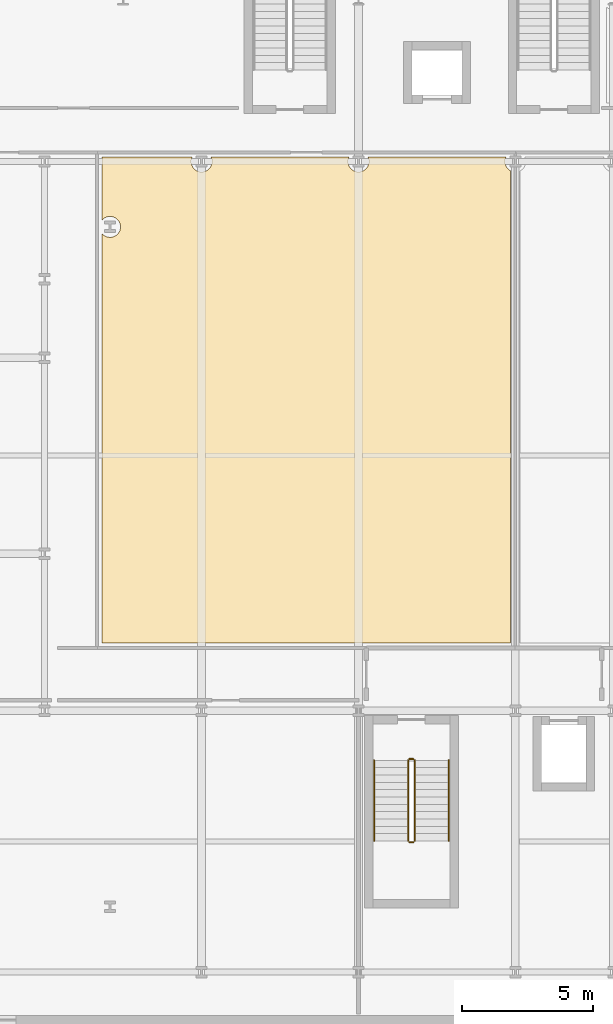
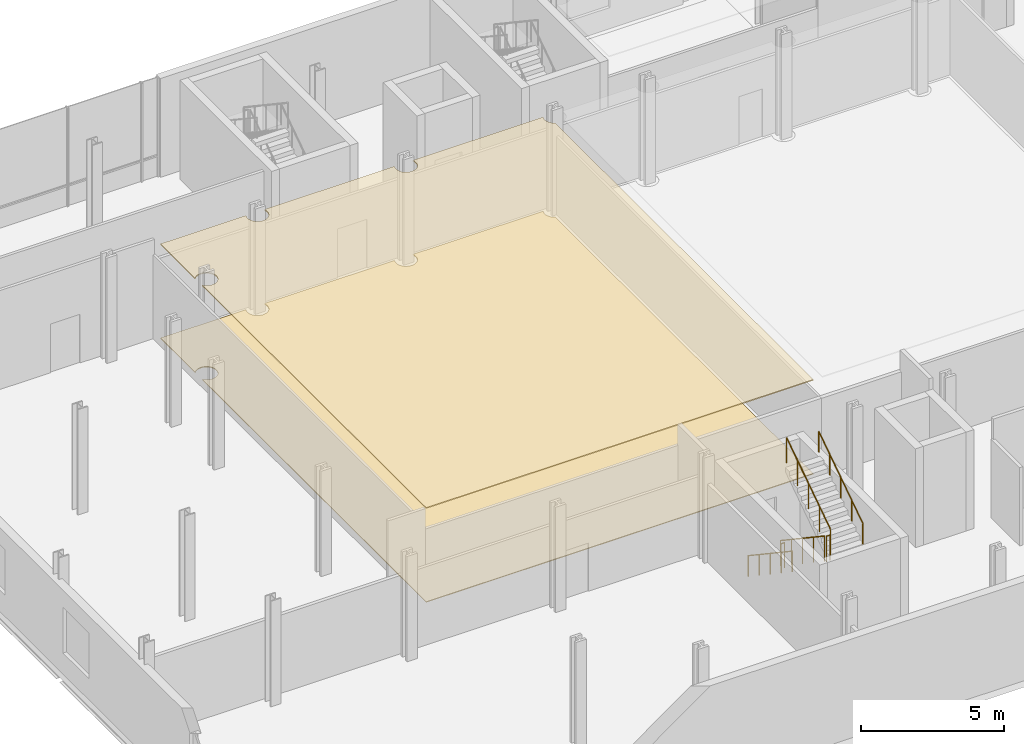
# One storey, part 21 of 25: 6 railings, 2 coverings.
"""IFC4 building model written with IfcOpenShell, lengths in metres."""

from ifc_helpers import new_model, si_unit, direction, frame, origin, origin_2d, place, context, subcontext, project, spatial, polyline, circle, outline, extrude, material, layer, layer_set, type_object, element, save


model = new_model("IFC4")

# Units and contexts
model_context = context("Model", 3, precision=1e-05, world=origin(), true_north=direction((0.0, 1.0)))
body_context = subcontext(model_context, "Body", "Model", "MODEL_VIEW")
ifc_project = project(units=[si_unit("LENGTHUNIT", "METRE"), si_unit("AREAUNIT", "SQUARE_METRE"), si_unit("VOLUMEUNIT", "CUBIC_METRE"), si_unit("PLANEANGLEUNIT", "RADIAN"), si_unit("MASSUNIT", "GRAM", prefix="KILO")], contexts=[model_context])

# Site, building, storey
site_placement = place(None, origin())
site = spatial("IfcSite", under=ifc_project, at=site_placement, CompositionType="ELEMENT")
building_placement = place(site_placement, origin())
building = spatial("IfcBuilding", under=site, at=building_placement, Name="Brevholm Reach", CompositionType="ELEMENT")
storey_placement = place(building_placement, frame((0.0, 0.0, 13.5)))
storey = spatial("IfcBuildingStorey", under=building, at=storey_placement, Name="L03", CompositionType="ELEMENT", Elevation=13.5)

# Coverings
ifc_material_1 = material(Name="Perforated Mineral-Fibre Class-A Acoustic Suspended Ceiling", Category="gypsum")
ifc_layer_1 = layer(ifc_material_1, 0.044921875)
ifc_layer_set_1 = layer_set([ifc_layer_1], Name="Perforated Mineral-Fibre Class-A Acoustic Suspended Ceiling")
covering_type_1 = type_object("IfcCoveringType", Name="COV-CLG-AC", PredefinedType="CEILING", material=ifc_layer_set_1)
covering_1_placement = place(storey_placement, frame((0.0, 0.0, 4.0048828125)))
element("IfcCovering", 1, at=covering_1_placement, inside=storey, type_object=covering_type_1, Name="L03 Suspended Ceiling L03-36", PredefinedType="CEILING", context=body_context, shape_type="SweptSolid", body=[
    extrude(outline(polyline([(17.820068359375, 12.583984375), (2.18408203125, 12.583984375), (2.18408203125, 28.25537109375), (2.19091796875, 28.24609375), (2.21728515625, 28.21728515625), (2.24609375, 28.19091796875), (2.27783203125, 28.16748046875), (2.311279296875, 28.147216796875), (2.346923828125, 28.13037109375), (2.3837890625, 28.1171875), (2.422119140625, 28.107666015625), (2.460693359375, 28.101806640625), (2.5, 28.10009765625), (2.539306640625, 28.101806640625), (2.577880859375, 28.107666015625), (2.6162109375, 28.1171875), (2.653076171875, 28.13037109375), (2.688720703125, 28.147216796875), (2.72216796875, 28.16748046875), (2.75390625, 28.19091796875), (2.78271484375, 28.21728515625), (2.80908203125, 28.24609375), (2.83251953125, 28.27783203125), (2.852783203125, 28.311279296875), (2.86962890625, 28.346923828125), (2.8828125, 28.3837890625), (2.892333984375, 28.422119140625), (2.898193359375, 28.460693359375), (2.89990234375, 28.5), (2.898193359375, 28.539306640625), (2.892333984375, 28.577880859375), (2.8828125, 28.6162109375), (2.86962890625, 28.653076171875), (2.852783203125, 28.688720703125), (2.83251953125, 28.72216796875), (2.80908203125, 28.75390625), (2.78271484375, 28.78271484375), (2.75390625, 28.80908203125), (2.72216796875, 28.83251953125), (2.688720703125, 28.852783203125), (2.653076171875, 28.86962890625), (2.6162109375, 28.8828125), (2.577880859375, 28.892333984375), (2.539306640625, 28.898193359375), (2.5, 28.89990234375), (2.460693359375, 28.898193359375), (2.422119140625, 28.892333984375), (2.3837890625, 28.8828125), (2.346923828125, 28.86962890625), (2.311279296875, 28.852783203125), (2.27783203125, 28.83251953125), (2.24609375, 28.80908203125), (2.21728515625, 28.78271484375), (2.19091796875, 28.75390625), (2.18408203125, 28.74462890625), (2.18408203125, 31.166015625), (5.63671875, 31.166015625), (5.63037109375, 31.153076171875), (5.6171875, 31.1162109375), (5.607666015625, 31.077880859375), (5.601806640625, 31.039306640625), (5.60009765625, 31.0), (5.601806640625, 30.960693359375), (5.607666015625, 30.922119140625), (5.6171875, 30.8837890625), (5.63037109375, 30.846923828125), (5.647216796875, 30.811279296875), (5.66748046875, 30.77783203125), (5.69091796875, 30.74609375), (5.71728515625, 30.71728515625), (5.74609375, 30.69091796875), (5.77783203125, 30.66748046875), (5.811279296875, 30.647216796875), (5.846923828125, 30.63037109375), (5.8837890625, 30.6171875), (5.922119140625, 30.607666015625), (5.960693359375, 30.601806640625), (6.0, 30.60009765625), (6.039306640625, 30.601806640625), (6.077880859375, 30.607666015625), (6.1162109375, 30.6171875), (6.153076171875, 30.63037109375), (6.188720703125, 30.647216796875), (6.22216796875, 30.66748046875), (6.25390625, 30.69091796875), (6.28271484375, 30.71728515625), (6.30908203125, 30.74609375), (6.33251953125, 30.77783203125), (6.352783203125, 30.811279296875), (6.36962890625, 30.846923828125), (6.3828125, 30.8837890625), (6.392333984375, 30.922119140625), (6.398193359375, 30.960693359375), (6.39990234375, 31.0), (6.398193359375, 31.039306640625), (6.392333984375, 31.077880859375), (6.3828125, 31.1162109375), (6.36962890625, 31.153076171875), (6.36328125, 31.166015625), (11.63671875, 31.166015625), (11.63037109375, 31.153076171875), (11.6171875, 31.1162109375), (11.607666015625, 31.077880859375), (11.601806640625, 31.039306640625), (11.60009765625, 31.0), (11.601806640625, 30.960693359375), (11.607666015625, 30.922119140625), (11.6171875, 30.8837890625), (11.63037109375, 30.846923828125), (11.647216796875, 30.811279296875), (11.66748046875, 30.77783203125), (11.69091796875, 30.74609375), (11.71728515625, 30.71728515625), (11.74609375, 30.69091796875), (11.77783203125, 30.66748046875), (11.811279296875, 30.647216796875), (11.846923828125, 30.63037109375), (11.8837890625, 30.6171875), (11.922119140625, 30.607666015625), (11.960693359375, 30.601806640625), (12.0, 30.60009765625), (12.039306640625, 30.601806640625), (12.077880859375, 30.607666015625), (12.1162109375, 30.6171875), (12.153076171875, 30.63037109375), (12.188720703125, 30.647216796875), (12.22216796875, 30.66748046875), (12.25390625, 30.69091796875), (12.28271484375, 30.71728515625), (12.30908203125, 30.74609375), (12.33251953125, 30.77783203125), (12.352783203125, 30.811279296875), (12.36962890625, 30.846923828125), (12.3828125, 30.8837890625), (12.392333984375, 30.922119140625), (12.398193359375, 30.960693359375), (12.39990234375, 31.0), (12.398193359375, 31.039306640625), (12.392333984375, 31.077880859375), (12.3828125, 31.1162109375), (12.36962890625, 31.153076171875), (12.36328125, 31.166015625), (17.63671875, 31.166015625), (17.63037109375, 31.153076171875), (17.6171875, 31.1162109375), (17.607666015625, 31.077880859375), (17.601806640625, 31.039306640625), (17.60009765625, 31.0), (17.601806640625, 30.960693359375), (17.607666015625, 30.922119140625), (17.6171875, 30.8837890625), (17.63037109375, 30.846923828125), (17.647216796875, 30.811279296875), (17.66748046875, 30.77783203125), (17.69091796875, 30.74609375), (17.71728515625, 30.71728515625), (17.74609375, 30.69091796875), (17.77783203125, 30.66748046875), (17.811279296875, 30.647216796875), (17.820068359375, 30.643310546875), (17.820068359375, 12.583984375)])), origin(), (0.0, 0.0, 1.0), 0.045166015625),
])
ifc_material_2 = material(Name="Honed Portland-Aggregate Resin Terrazzo Flooring", Category="concrete")
ifc_layer_2 = layer(ifc_material_2, 0.031982421875)
ifc_layer_set_2 = layer_set([ifc_layer_2], Name="Honed Portland-Aggregate Resin Terrazzo Flooring")
covering_type_2 = type_object("IfcCoveringType", Name="COV-FLR-TRZ", PredefinedType="FLOORING", material=ifc_layer_set_2)
covering_2_placement = place(storey_placement, origin())
element("IfcCovering", 2, at=covering_2_placement, inside=storey, type_object=covering_type_2, Name="L03 Floor Finish L03-36", PredefinedType="FLOORING", context=body_context, shape_type="SweptSolid", body=[
    extrude(outline(polyline([(17.820068359375, 12.583984375), (2.18408203125, 12.583984375), (2.18408203125, 28.25537109375), (2.19091796875, 28.24609375), (2.21728515625, 28.21728515625), (2.24609375, 28.19091796875), (2.27783203125, 28.16748046875), (2.311279296875, 28.147216796875), (2.346923828125, 28.13037109375), (2.3837890625, 28.1171875), (2.422119140625, 28.107666015625), (2.460693359375, 28.101806640625), (2.5, 28.10009765625), (2.539306640625, 28.101806640625), (2.577880859375, 28.107666015625), (2.6162109375, 28.1171875), (2.653076171875, 28.13037109375), (2.688720703125, 28.147216796875), (2.72216796875, 28.16748046875), (2.75390625, 28.19091796875), (2.78271484375, 28.21728515625), (2.80908203125, 28.24609375), (2.83251953125, 28.27783203125), (2.852783203125, 28.311279296875), (2.86962890625, 28.346923828125), (2.8828125, 28.3837890625), (2.892333984375, 28.422119140625), (2.898193359375, 28.460693359375), (2.89990234375, 28.5), (2.898193359375, 28.539306640625), (2.892333984375, 28.577880859375), (2.8828125, 28.6162109375), (2.86962890625, 28.653076171875), (2.852783203125, 28.688720703125), (2.83251953125, 28.72216796875), (2.80908203125, 28.75390625), (2.78271484375, 28.78271484375), (2.75390625, 28.80908203125), (2.72216796875, 28.83251953125), (2.688720703125, 28.852783203125), (2.653076171875, 28.86962890625), (2.6162109375, 28.8828125), (2.577880859375, 28.892333984375), (2.539306640625, 28.898193359375), (2.5, 28.89990234375), (2.460693359375, 28.898193359375), (2.422119140625, 28.892333984375), (2.3837890625, 28.8828125), (2.346923828125, 28.86962890625), (2.311279296875, 28.852783203125), (2.27783203125, 28.83251953125), (2.24609375, 28.80908203125), (2.21728515625, 28.78271484375), (2.19091796875, 28.75390625), (2.18408203125, 28.74462890625), (2.18408203125, 31.166015625), (5.63671875, 31.166015625), (5.63037109375, 31.153076171875), (5.6171875, 31.1162109375), (5.607666015625, 31.077880859375), (5.601806640625, 31.039306640625), (5.60009765625, 31.0), (5.601806640625, 30.960693359375), (5.607666015625, 30.922119140625), (5.6171875, 30.8837890625), (5.63037109375, 30.846923828125), (5.647216796875, 30.811279296875), (5.66748046875, 30.77783203125), (5.69091796875, 30.74609375), (5.71728515625, 30.71728515625), (5.74609375, 30.69091796875), (5.77783203125, 30.66748046875), (5.811279296875, 30.647216796875), (5.846923828125, 30.63037109375), (5.8837890625, 30.6171875), (5.922119140625, 30.607666015625), (5.960693359375, 30.601806640625), (6.0, 30.60009765625), (6.039306640625, 30.601806640625), (6.077880859375, 30.607666015625), (6.1162109375, 30.6171875), (6.153076171875, 30.63037109375), (6.188720703125, 30.647216796875), (6.22216796875, 30.66748046875), (6.25390625, 30.69091796875), (6.28271484375, 30.71728515625), (6.30908203125, 30.74609375), (6.33251953125, 30.77783203125), (6.352783203125, 30.811279296875), (6.36962890625, 30.846923828125), (6.3828125, 30.8837890625), (6.392333984375, 30.922119140625), (6.398193359375, 30.960693359375), (6.39990234375, 31.0), (6.398193359375, 31.039306640625), (6.392333984375, 31.077880859375), (6.3828125, 31.1162109375), (6.36962890625, 31.153076171875), (6.36328125, 31.166015625), (11.63671875, 31.166015625), (11.63037109375, 31.153076171875), (11.6171875, 31.1162109375), (11.607666015625, 31.077880859375), (11.601806640625, 31.039306640625), (11.60009765625, 31.0), (11.601806640625, 30.960693359375), (11.607666015625, 30.922119140625), (11.6171875, 30.8837890625), (11.63037109375, 30.846923828125), (11.647216796875, 30.811279296875), (11.66748046875, 30.77783203125), (11.69091796875, 30.74609375), (11.71728515625, 30.71728515625), (11.74609375, 30.69091796875), (11.77783203125, 30.66748046875), (11.811279296875, 30.647216796875), (11.846923828125, 30.63037109375), (11.8837890625, 30.6171875), (11.922119140625, 30.607666015625), (11.960693359375, 30.601806640625), (12.0, 30.60009765625), (12.039306640625, 30.601806640625), (12.077880859375, 30.607666015625), (12.1162109375, 30.6171875), (12.153076171875, 30.63037109375), (12.188720703125, 30.647216796875), (12.22216796875, 30.66748046875), (12.25390625, 30.69091796875), (12.28271484375, 30.71728515625), (12.30908203125, 30.74609375), (12.33251953125, 30.77783203125), (12.352783203125, 30.811279296875), (12.36962890625, 30.846923828125), (12.3828125, 30.8837890625), (12.392333984375, 30.922119140625), (12.398193359375, 30.960693359375), (12.39990234375, 31.0), (12.398193359375, 31.039306640625), (12.392333984375, 31.077880859375), (12.3828125, 31.1162109375), (12.36962890625, 31.153076171875), (12.36328125, 31.166015625), (17.63671875, 31.166015625), (17.63037109375, 31.153076171875), (17.6171875, 31.1162109375), (17.607666015625, 31.077880859375), (17.601806640625, 31.039306640625), (17.60009765625, 31.0), (17.601806640625, 30.960693359375), (17.607666015625, 30.922119140625), (17.6171875, 30.8837890625), (17.63037109375, 30.846923828125), (17.647216796875, 30.811279296875), (17.66748046875, 30.77783203125), (17.69091796875, 30.74609375), (17.71728515625, 30.71728515625), (17.74609375, 30.69091796875), (17.77783203125, 30.66748046875), (17.811279296875, 30.647216796875), (17.820068359375, 30.643310546875), (17.820068359375, 12.583984375)])), origin(), (0.0, 0.0, 1.0), 0.031982421875),
])

# Railings
ifc_material_3 = material(Name="Brushed Stainless Steel EN 1.4401 Continuous Handrail", Category="steel")
railing_type_1 = type_object("IfcRailingType", Name="RAL-HND-950", PredefinedType="HANDRAIL", material=ifc_material_3)
railing_1_placement = place(storey_placement, frame((12.60009765625, 8.10009765625, 0.1875)))
element("IfcRailing", 3, at=railing_1_placement, inside=storey, type_object=railing_type_1, Name="L03 ST-1 stair handrail 1", PredefinedType="HANDRAIL", context=body_context, shape_type="SweptSolid", body=[
    extrude(circle(Radius=0.02392578125, at=origin_2d()), frame((0.0, 0.0, 0.8857421875), z_axis=(0.0, -0.830913701846, 0.55640131208), x_axis=(1.0, 0.0, 0.0)), (0.0, 0.0, 1.0), 3.706787109375),
    extrude(circle(Radius=0.02099609375, at=origin_2d()), origin(), (0.0, 0.0, 1.0), 0.86181640625),
    extrude(circle(Radius=0.02099609375, at=origin_2d()), frame((0.0, -0.77001953125, 0.515625)), (0.0, 0.0, 1.0), 0.86181640625),
    extrude(circle(Radius=0.02099609375, at=origin_2d()), frame((0.0, -1.5400390625, 1.03125)), (0.0, 0.0, 1.0), 0.86181640625),
    extrude(circle(Radius=0.02099609375, at=origin_2d()), frame((0.0, -2.31005859375, 1.546875)), (0.0, 0.0, 1.0), 0.86181640625),
    extrude(circle(Radius=0.02099609375, at=origin_2d()), frame((0.0, -3.080078125, 2.0625)), (0.0, 0.0, 1.0), 0.86181640625),
])
railing_2_placement = place(storey_placement, frame((15.449951171875, 5.02001953125, 2.4375)))
element("IfcRailing", 4, at=railing_2_placement, inside=storey, type_object=railing_type_1, Name="L03 ST-1 stair handrail 2", PredefinedType="HANDRAIL", context=body_context, shape_type="SweptSolid", body=[
    extrude(circle(Radius=0.02392578125, at=origin_2d()), frame((0.0, 0.0, 0.8857421875), z_axis=(0.0, 0.830913701846, 0.55640131208), x_axis=(-1.0, 0.0, 0.0)), (0.0, 0.0, 1.0), 3.706787109375),
    extrude(circle(Radius=0.02099609375, at=origin_2d()), origin(), (0.0, 0.0, 1.0), 0.86181640625),
    extrude(circle(Radius=0.02099609375, at=origin_2d()), frame((0.0, 0.77001953125, 0.515625)), (0.0, 0.0, 1.0), 0.86181640625),
    extrude(circle(Radius=0.02099609375, at=origin_2d()), frame((0.0, 1.5400390625, 1.03125)), (0.0, 0.0, 1.0), 0.86181640625),
    extrude(circle(Radius=0.02099609375, at=origin_2d()), frame((0.0, 2.31005859375, 1.546875)), (0.0, 0.0, 1.0), 0.86181640625),
    extrude(circle(Radius=0.02099609375, at=origin_2d()), frame((0.0, 3.080078125, 2.0625)), (0.0, 0.0, 1.0), 0.86181640625),
])
ifc_material_4 = material(Name="Painted Tubular Galvanised Steel S275JR Stair Guard", Category="steel")
railing_type_2 = type_object("IfcRailingType", Name="RAL-STG-1120", PredefinedType="BALUSTRADE", material=ifc_material_4)
railing_3_placement = place(storey_placement, frame((13.89990234375, 8.10009765625, 0.1875)))
element("IfcRailing", 5, at=railing_3_placement, inside=storey, type_object=railing_type_2, Name="L03 ST-1 stair guard 1", PredefinedType="BALUSTRADE", context=body_context, shape_type="SweptSolid", body=[
    extrude(circle(Radius=0.02392578125, at=origin_2d()), frame((0.0, 0.0, 1.076171875), z_axis=(0.0, -0.830913701846, 0.55640131208), x_axis=(1.0, 0.0, 0.0)), (0.0, 0.0, 1.0), 3.706787109375),
    extrude(circle(Radius=0.02099609375, at=origin_2d()), origin(), (0.0, 0.0, 1.0), 1.052001953125),
    extrude(circle(Radius=0.02099609375, at=origin_2d()), frame((0.0, -0.77001953125, 0.515625)), (0.0, 0.0, 1.0), 1.052001953125),
    extrude(circle(Radius=0.02099609375, at=origin_2d()), frame((0.0, -1.5400390625, 1.03125)), (0.0, 0.0, 1.0), 1.052001953125),
    extrude(circle(Radius=0.02099609375, at=origin_2d()), frame((0.0, -2.31005859375, 1.546875)), (0.0, 0.0, 1.0), 1.052001953125),
    extrude(circle(Radius=0.02099609375, at=origin_2d()), frame((0.0, -3.080078125, 2.0625)), (0.0, 0.0, 1.0), 1.052001953125),
])
railing_4_placement = place(storey_placement, frame((13.949951171875, 4.969970703125, 2.25)))
element("IfcRailing", 6, at=railing_4_placement, inside=storey, type_object=railing_type_2, Name="L03 ST-1 stair guard 2", PredefinedType="BALUSTRADE", context=body_context, shape_type="SweptSolid", body=[
    extrude(circle(Radius=0.02392578125, at=origin_2d()), frame((0.0, 0.0, 1.076171875), z_axis=(1.0, 0.0, 0.0), x_axis=(0.0, 1.0, 0.0)), (0.0, 0.0, 1.0), 0.150146484375),
    extrude(circle(Radius=0.02099609375, at=origin_2d()), origin(), (0.0, 0.0, 1.0), 1.052001953125),
    extrude(circle(Radius=0.02099609375, at=origin_2d()), frame((0.150146484375, 0.0, 0.0)), (0.0, 0.0, 1.0), 1.052001953125),
])
railing_5_placement = place(storey_placement, frame((14.14990234375, 5.02001953125, 2.4375)))
element("IfcRailing", 7, at=railing_5_placement, inside=storey, type_object=railing_type_2, Name="L03 ST-1 stair guard 3", PredefinedType="BALUSTRADE", context=body_context, shape_type="SweptSolid", body=[
    extrude(circle(Radius=0.02392578125, at=origin_2d()), frame((0.0, 0.0, 1.076171875), z_axis=(0.0, 0.830913701846, 0.55640131208), x_axis=(-1.0, 0.0, 0.0)), (0.0, 0.0, 1.0), 3.706787109375),
    extrude(circle(Radius=0.02099609375, at=origin_2d()), origin(), (0.0, 0.0, 1.0), 1.052001953125),
    extrude(circle(Radius=0.02099609375, at=origin_2d()), frame((0.0, 0.77001953125, 0.515625)), (0.0, 0.0, 1.0), 1.052001953125),
    extrude(circle(Radius=0.02099609375, at=origin_2d()), frame((0.0, 1.5400390625, 1.03125)), (0.0, 0.0, 1.0), 1.052001953125),
    extrude(circle(Radius=0.02099609375, at=origin_2d()), frame((0.0, 2.31005859375, 1.546875)), (0.0, 0.0, 1.0), 1.052001953125),
    extrude(circle(Radius=0.02099609375, at=origin_2d()), frame((0.0, 3.080078125, 2.0625)), (0.0, 0.0, 1.0), 1.052001953125),
])
railing_6_placement = place(storey_placement, frame((13.949951171875, 8.14990234375, 0.0)))
element("IfcRailing", 8, at=railing_6_placement, inside=storey, type_object=railing_type_2, Name="L03 ST-1 stair guard 4", PredefinedType="BALUSTRADE", context=body_context, shape_type="SweptSolid", body=[
    extrude(circle(Radius=0.02392578125, at=origin_2d()), frame((0.0, 0.0, 1.076171875), z_axis=(1.0, 0.0, 0.0), x_axis=(0.0, 1.0, 0.0)), (0.0, 0.0, 1.0), 0.150146484375),
    extrude(circle(Radius=0.02099609375, at=origin_2d()), origin(), (0.0, 0.0, 1.0), 1.052001953125),
    extrude(circle(Radius=0.02099609375, at=origin_2d()), frame((0.150146484375, 0.0, 0.0)), (0.0, 0.0, 1.0), 1.052001953125),
])

save(model, "model.ifc")
